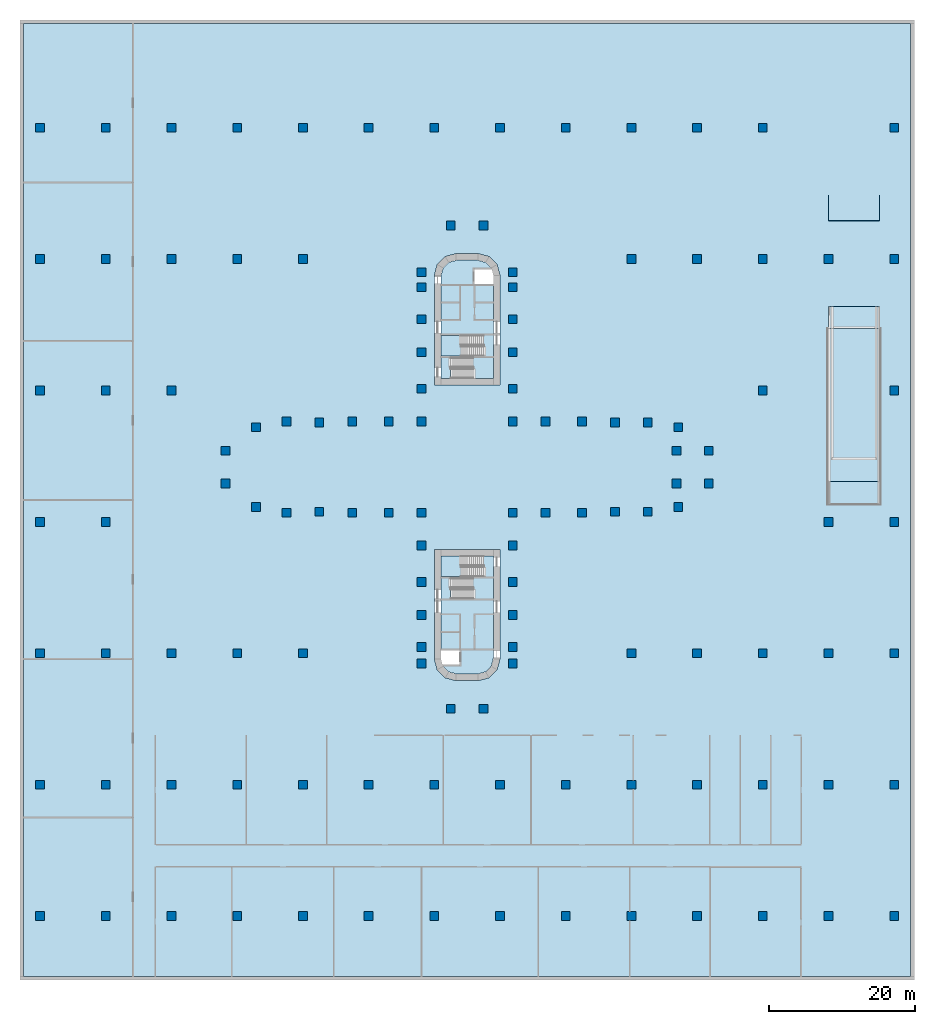
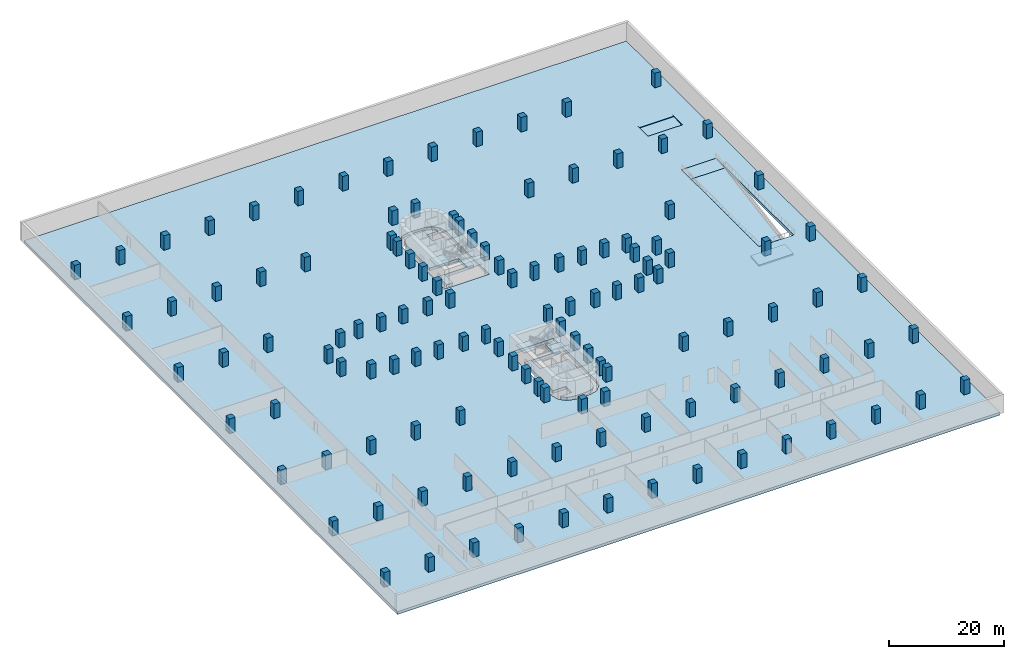
# One storey, part 1 of 11: 124 columns, 10 slabs, 2 openings, 4 elements without a shape of their own.
"""IFC4 building model written with IfcOpenShell, lengths in metres."""

import ifcopenshell
import ifcopenshell.guid

model = None  # the IFC model being written
_history = None  # IfcOwnerHistory: only IFC2X3 demands one
_inside = {}  # id of a spatial element -> (the spatial element, [elements in it])
_under = {}  # id of a project, library or spatial element -> (it, [spatial elements below it])
_declared = {}  # id of a project -> (the project, [libraries it declares])
_typed = {}  # id of a type object -> (the type object, [elements of that type])
_made_of = {}  # id of a material, layer set ... -> (it, [elements and type objects made of it])


def new_model(schema):
    """Start an empty IFC model of exactly this schema.

    Asked for "IFC4X3", IfcOpenShell would pick the latest addendum, in which some entities
    have other attributes; the version numbers below select the first issue.
    IFC2X3 requires an IfcOwnerHistory on every rooted entity: one is made here for all.
    """
    global model, _history
    if schema == "IFC4X3":
        model = ifcopenshell.file(schema_version=(4, 3, 0, 0))
    else:
        model = ifcopenshell.file(schema=schema)
    _inside.clear()
    _under.clear()
    _declared.clear()
    _typed.clear()
    _made_of.clear()
    _history = None
    if model.schema == "IFC2X3":
        org = make("IfcOrganization", Name="unknown")
        user = make(
            "IfcPersonAndOrganization",
            ThePerson=make("IfcPerson", FamilyName="unknown"),
            TheOrganization=org,
        )
        app = make(
            "IfcApplication",
            ApplicationDeveloper=org,
            Version="unknown",
            ApplicationFullName="unknown",
            ApplicationIdentifier="unknown",
        )
        _history = make(
            "IfcOwnerHistory",
            OwningUser=user,
            OwningApplication=app,
            ChangeAction="ADDED",
            CreationDate=0,
        )
    return model


def make(cls, **values):
    """One entity of the class cls with the attributes given. An attribute that is None is left unset."""
    return model.create_entity(
        cls, **{name: value for name, value in values.items() if value is not None}
    )


def rooted(cls, **values):
    """An entity with a GlobalId (a new one), such as an element, a storey or a relation."""
    return make(cls, GlobalId=ifcopenshell.guid.new(), OwnerHistory=_history, **values)


def si_unit(unit_type, name, prefix=None):
    """IfcSIUnit, for example si_unit("LENGTHUNIT", "METRE", prefix="MILLI")."""
    return make("IfcSIUnit", UnitType=unit_type, Prefix=prefix, Name=name)


def assignment(units):
    """IfcUnitAssignment: the units of a project."""
    return None if units is None else make("IfcUnitAssignment", Units=units)


def point(xyz):
    """IfcCartesianPoint."""
    return None if xyz is None else make("IfcCartesianPoint", Coordinates=xyz)


def direction(xyz):
    """IfcDirection."""
    return None if xyz is None else make("IfcDirection", DirectionRatios=xyz)


def frame(location, z_axis=None, x_axis=None):
    """IfcAxis2Placement3D, a coordinate frame: its origin and axes. An axis left out is left unset."""
    return make(
        "IfcAxis2Placement3D",
        Location=point(location),
        Axis=direction(z_axis),
        RefDirection=direction(x_axis),
    )


def frame_2d(location, x_axis=None):
    """IfcAxis2Placement2D, a coordinate frame in the plane: its origin and x axis."""
    return make(
        "IfcAxis2Placement2D", Location=point(location), RefDirection=direction(x_axis)
    )


def origin():
    """The frame at (0, 0, 0) with its axes left unset."""
    return frame((0.0, 0.0, 0.0))


def origin_2d():
    """The frame at (0, 0) in the plane with its x axis left unset."""
    return frame_2d((0.0, 0.0))


def place(relative_to, where):
    """IfcLocalPlacement: puts the frame where relative to a parent placement (None: the world)."""
    return make(
        "IfcLocalPlacement", PlacementRelTo=relative_to, RelativePlacement=where
    )


def context(
    kind, dimensions, precision=None, world=None, true_north=None, identifier=None
):
    """IfcGeometricRepresentationContext, for example the 3D "Model" context."""
    return make(
        "IfcGeometricRepresentationContext",
        ContextIdentifier=identifier,
        ContextType=kind,
        CoordinateSpaceDimension=dimensions,
        Precision=precision,
        WorldCoordinateSystem=world,
        TrueNorth=true_north,
    )


def subcontext(parent, identifier, kind, view, scale=None):
    """IfcGeometricRepresentationSubContext, for example "Body" below "Model"."""
    return make(
        "IfcGeometricRepresentationSubContext",
        ContextIdentifier=identifier,
        ContextType=kind,
        ParentContext=parent,
        TargetScale=scale,
        TargetView=view,
    )


def project(units=None, contexts=None):
    """IfcProject with its units and contexts."""
    return rooted(
        "IfcProject",
        Name="project",
        RepresentationContexts=contexts,
        UnitsInContext=assignment(units),
    )


def spatial(cls, under=None, at=None, **own):
    """A site, building, storey or space (cls), placed at a placement, below another one or the project."""
    s = rooted(cls, ObjectPlacement=at, **own)
    if under is not None:
        _under.setdefault(under.id(), (under, []))[1].append(s)
    return s


def polyline(points):
    """IfcPolyline through the points."""
    return make("IfcPolyline", Points=[point(p) for p in points])


def profile(cls, at=None, kind="AREA", **sizes):
    """A parametric profile (cls). Its sizes go by their IFC names, for example OverallWidth=200.0."""
    return make(cls, ProfileType=kind, Position=at, **sizes)


def rectangle(**sizes):
    """IfcRectangleProfileDef."""
    return profile("IfcRectangleProfileDef", **sizes)


def outline(outer, holes=None, kind="AREA"):
    """IfcArbitraryClosedProfileDef: a profile drawn as a closed curve; with holes, ...WithVoids."""
    if holes is None:
        return make("IfcArbitraryClosedProfileDef", ProfileType=kind, OuterCurve=outer)
    return make(
        "IfcArbitraryProfileDefWithVoids",
        ProfileType=kind,
        OuterCurve=outer,
        InnerCurves=holes,
    )


def extrude(swept, where, along, depth):
    """IfcExtrudedAreaSolid: the profile swept, set in the frame where, extruded along a direction by depth."""
    return make(
        "IfcExtrudedAreaSolid",
        SweptArea=swept,
        Position=where,
        ExtrudedDirection=direction(along),
        Depth=depth,
    )


def shape(context_of_items, identifier, shape_type, items):
    """IfcShapeRepresentation: the items that make up one representation, for example the "Body"."""
    return make(
        "IfcShapeRepresentation",
        ContextOfItems=context_of_items,
        RepresentationIdentifier=identifier,
        RepresentationType=shape_type,
        Items=items,
    )


def material(Name=None, Category=None):
    """IfcMaterial."""
    return make("IfcMaterial", Name=Name, Category=Category)


def layer(
    of_material, thickness, ventilated=None, Name=None, Category=None, Priority=None
):
    """IfcMaterialLayer: one layer of a wall or slab, of a material (None: an air gap)."""
    return make(
        "IfcMaterialLayer",
        Material=of_material,
        LayerThickness=thickness,
        IsVentilated=ventilated,
        Name=Name,
        Category=Category,
        Priority=Priority,
    )


def layer_set(layers, Name=None):
    """IfcMaterialLayerSet."""
    return make("IfcMaterialLayerSet", MaterialLayers=layers, LayerSetName=Name)


def material_profile(
    of_material, cross_section, Name=None, Category=None, Priority=None
):
    """IfcMaterialProfile: a cross section and its material."""
    return make(
        "IfcMaterialProfile",
        Name=Name,
        Material=of_material,
        Profile=cross_section,
        Priority=Priority,
        Category=Category,
    )


def profile_set(profiles, Name=None, composite=None):
    """IfcMaterialProfileSet."""
    return make(
        "IfcMaterialProfileSet",
        Name=Name,
        MaterialProfiles=profiles,
        CompositeProfile=composite,
    )


def made_of(thing, what):
    """Note that an element or type object is made of a material, layer set ...; save() writes the relation."""
    if what is not None:
        _made_of.setdefault(what.id(), (what, []))[1].append(thing)
    return thing


def type_object(cls, material=None, **own):
    """A type object (cls), such as IfcWallType, which elements share."""
    return made_of(rooted(cls, **own), material)


def element(
    cls,
    number,
    at=None,
    inside=None,
    cuts=None,
    type_object=None,
    material=None,
    context=None,
    identifier="Body",
    shape_type=None,
    held_by="IfcProductDefinitionShape",
    body=None,
    shapes=None,
    **own,
):
    """One element of the class cls, such as IfcWall. Its Tag is "e" and its number.

    at: its placement. inside: the storey or other place that contains it. cuts: it is an
    opening in that element (IfcRelVoidsElement). A single representation is given by context,
    identifier, shape_type and body (its items); several are given by shapes. held_by: the class
    of the entity that holds the representations. save() writes the other relations.
    """
    e = rooted(cls, Tag="e%d" % number, ObjectPlacement=at, **own)
    if body is not None:
        shapes = [shape(context, identifier, shape_type, body)]
    if shapes is not None:
        e.Representation = make(held_by, Representations=shapes)
    if inside is not None:
        _inside.setdefault(inside.id(), (inside, []))[1].append(e)
    if cuts is not None:
        rooted(
            "IfcRelVoidsElement", RelatingBuildingElement=cuts, RelatedOpeningElement=e
        )
    if type_object is not None:
        _typed.setdefault(type_object.id(), (type_object, []))[1].append(e)
    return made_of(e, material)


def aggregate(whole, parts):
    """IfcRelAggregates: a whole, such as a stair, and the parts it consists of."""
    return rooted("IfcRelAggregates", RelatingObject=whole, RelatedObjects=parts)


def save(model, path):
    """Write the relations noted so far, then the file.

    IfcRelAggregates (storeys below a building ...), IfcRelContainedInSpatialStructure (elements
    in a storey), IfcRelDefinesByType, IfcRelAssociatesMaterial and IfcRelDeclares: one each for
    every whole, place, type object, material and project.
    """
    for whole, parts in _under.values():
        aggregate(whole, parts)
    for where, things in _inside.values():
        rooted(
            "IfcRelContainedInSpatialStructure",
            RelatedElements=things,
            RelatingStructure=where,
        )
    for kind, things in _typed.values():
        rooted("IfcRelDefinesByType", RelatedObjects=things, RelatingType=kind)
    for what, things in _made_of.values():
        rooted("IfcRelAssociatesMaterial", RelatedObjects=things, RelatingMaterial=what)
    for by, libraries in _declared.values():
        rooted("IfcRelDeclares", RelatingContext=by, RelatedDefinitions=libraries)
    model.write(path)


model = new_model("IFC4")

# Units and contexts
model_context = context("Model", 3, precision=1e-05, world=origin(), true_north=direction((0.0, 1.0)))
body_context = subcontext(model_context, "Body", "Model", "MODEL_VIEW")
ifc_project = project(units=[si_unit("LENGTHUNIT", "METRE"), si_unit("AREAUNIT", "SQUARE_METRE"), si_unit("VOLUMEUNIT", "CUBIC_METRE"), si_unit("PLANEANGLEUNIT", "RADIAN"), si_unit("MASSUNIT", "GRAM", prefix="KILO")], contexts=[model_context])

# Site, building, storey
site_placement = place(None, origin())
site = spatial("IfcSite", under=ifc_project, at=site_placement, CompositionType="ELEMENT")
building_placement = place(site_placement, origin())
building = spatial("IfcBuilding", under=site, at=building_placement, Name="Zarbagh Exchange Tower", CompositionType="ELEMENT")
storey_placement = place(building_placement, frame((0.0, 0.0, -4.0)))
storey = spatial("IfcBuildingStorey", under=building, at=storey_placement, Name="B1", CompositionType="ELEMENT", Elevation=-4.0)

# Columns
ifc_material_1 = material(Name="Concrete C60/75", Category="concrete")
ifc_material_profile = material_profile(ifc_material_1, rectangle(XDim=1.199951171875, YDim=1.199951171875, at=origin_2d()), Name="RC column 1200 x 1200 C60/75")
ifc_profile_set = profile_set([ifc_material_profile], Name="Concrete C60/75")
column_type = type_object("IfcColumnType", Name="RC column 1200 x 1200 C60/75", PredefinedType="COLUMN", material=ifc_profile_set)
for number, where, z_axis, x_axis, name in (
    (1, (-58.5, -61.5, 0.0), (0.0, 0.0, 1.0), (1.0, 0.0, 0.0), "C1 BX1/BY1"),
    (2, (-58.5, -43.5, 0.0), (0.0, 0.0, 1.0), (1.0, 0.0, 0.0), "C1 BX1/BY2"),
    (3, (-58.5, -25.5, 0.0), (0.0, 0.0, 1.0), (1.0, 0.0, 0.0), "C1 BX1/BY3"),
    (4, (-58.5, -7.5, 0.0), (0.0, 0.0, 1.0), (1.0, 0.0, 0.0), "C1 BX1/BY4"),
    (5, (-58.5, 10.5, 0.0), (0.0, 0.0, 1.0), (1.0, 0.0, 0.0), "C1 BX1/BY5"),
    (6, (-58.5, 28.5, 0.0), (0.0, 0.0, 1.0), (1.0, 0.0, 0.0), "C1 BX1/BY6"),
    (7, (-58.5, 46.5, 0.0), (0.0, 0.0, 1.0), (1.0, 0.0, 0.0), "C1 BX1/BY7"),
    (8, (-49.5, -61.5, 0.0), (0.0, 0.0, 1.0), (1.0, 0.0, 0.0), "C1 BX2/BY1"),
    (9, (-49.5, -43.5, 0.0), (0.0, 0.0, 1.0), (1.0, 0.0, 0.0), "C1 BX2/BY2"),
    (10, (-49.5, -25.5, 0.0), (0.0, 0.0, 1.0), (1.0, 0.0, 0.0), "C1 BX2/BY3"),
    (11, (-49.5, -7.5, 0.0), (0.0, 0.0, 1.0), (1.0, 0.0, 0.0), "C1 BX2/BY4"),
    (12, (-49.5, 10.5, 0.0), (0.0, 0.0, 1.0), (1.0, 0.0, 0.0), "C1 BX2/BY5"),
    (13, (-49.5, 28.5, 0.0), (0.0, 0.0, 1.0), (1.0, 0.0, 0.0), "C1 BX2/BY6"),
    (14, (-49.5, 46.5, 0.0), (0.0, 0.0, 1.0), (1.0, 0.0, 0.0), "C1 BX2/BY7"),
    (15, (-40.5, -61.5, 0.0), (0.0, 0.0, 1.0), (1.0, 0.0, 0.0), "C1 BX3/BY1"),
    (16, (-40.5, -43.5, 0.0), (0.0, 0.0, 1.0), (1.0, 0.0, 0.0), "C1 BX3/BY2"),
    (17, (-40.5, -25.5, 0.0), (0.0, 0.0, 1.0), (1.0, 0.0, 0.0), "C1 BX3/BY3"),
    (18, (-40.5, 10.5, 0.0), (0.0, 0.0, 1.0), (1.0, 0.0, 0.0), "C1 BX3/BY5"),
    (19, (-40.5, 28.5, 0.0), (0.0, 0.0, 1.0), (1.0, 0.0, 0.0), "C1 BX3/BY6"),
    (20, (-40.5, 46.5, 0.0), (0.0, 0.0, 1.0), (1.0, 0.0, 0.0), "C1 BX3/BY7"),
    (21, (-33.110107421875, -2.25, 0.0), (0.0, 0.0, 1.0), (1.0, 0.0, 0.0), "C1 10/S"),
    (22, (-33.110107421875, 2.25, 0.0), (0.0, 0.0, 1.0), (1.0, 0.0, 0.0), "C1 10/T"),
    (23, (-31.5, -61.5, 0.0), (0.0, 0.0, 1.0), (1.0, 0.0, 0.0), "C1 BX4/BY1"),
    (24, (-31.5, -43.5, 0.0), (0.0, 0.0, 1.0), (1.0, 0.0, 0.0), "C1 BX4/BY2"),
    (25, (-31.5, -25.5, 0.0), (0.0, 0.0, 1.0), (1.0, 0.0, 0.0), "C1 BX4/BY3"),
    (26, (-31.5, 28.5, 0.0), (0.0, 0.0, 1.0), (1.0, 0.0, 0.0), "C1 BX4/BY6"),
    (27, (-31.5, 46.5, 0.0), (0.0, 0.0, 1.0), (1.0, 0.0, 0.0), "C1 BX4/BY7"),
    (28, (-28.907958984375, -5.47509765625, 0.0), (0.0, 0.0, 1.0), (1.0, 0.0, 0.0), "C1 11/R"),
    (29, (-28.907958984375, 5.47509765625, 0.0), (0.0, 0.0, 1.0), (1.0, 0.0, 0.0), "C1 11/U"),
    (30, (-24.75, -6.25, 0.0), (0.0, 0.0, 1.0), (1.0, 0.0, 0.0), "C1 12/R"),
    (31, (-24.75, 6.25, 0.0), (0.0, 0.0, 1.0), (1.0, 0.0, 0.0), "C1 12/U"),
    (32, (-22.5, -61.5, 0.0), (0.0, 0.0, 1.0), (1.0, 0.0, 0.0), "C1 BX5/BY1"),
    (33, (-22.5, -43.5, 0.0), (0.0, 0.0, 1.0), (1.0, 0.0, 0.0), "C1 BX5/BY2"),
    (34, (-22.5, -25.5, 0.0), (0.0, 0.0, 1.0), (1.0, 0.0, 0.0), "C1 BX5/BY3"),
    (35, (-22.5, 28.5, 0.0), (0.0, 0.0, 1.0), (1.0, 0.0, 0.0), "C1 BX5/BY6"),
    (36, (-22.5, 46.5, 0.0), (0.0, 0.0, 1.0), (1.0, 0.0, 0.0), "C1 BX5/BY7"),
    (37, (-20.25, -6.110107421875, 0.0), (0.0, 0.0, 1.0), (1.0, 0.0, 0.0), "C1 13/R"),
    (38, (-20.25, 6.110107421875, 0.0), (0.0, 0.0, 1.0), (1.0, 0.0, 0.0), "C1 13/U"),
    (39, (-15.75, -6.25, 0.0), (0.0, 0.0, 1.0), (1.0, 0.0, 0.0), "C1 14/R"),
    (40, (-15.75, 6.25, 0.0), (0.0, 0.0, 1.0), (1.0, 0.0, 0.0), "C1 14/U"),
    (41, (-13.5, -61.5, 0.0), (0.0, 0.0, 1.0), (1.0, 0.0, 0.0), "C1 BX6/BY1"),
    (42, (-13.5, -43.5, 0.0), (0.0, 0.0, 1.0), (1.0, 0.0, 0.0), "C1 BX6/BY2"),
    (43, (-13.5, 46.5, 0.0), (0.0, 0.0, 1.0), (1.0, 0.0, 0.0), "C1 BX6/BY7"),
    (44, (-10.75, -6.25, 0.0), (0.0, 0.0, 1.0), (1.0, 0.0, 0.0), "C1 15/R"),
    (45, (-10.75, 6.25, 0.0), (0.0, 0.0, 1.0), (1.0, 0.0, 0.0), "C1 15/U"),
    (46, (-6.25, -26.89990234375, 0.0), (0.0, 0.0, 1.0), (1.0, 0.0, 0.0), "C1 16/L"),
    (47, (-6.25, -24.64990234375, 0.0), (0.0, 0.0, 1.0), (1.0, 0.0, 0.0), "C1 16/M"),
    (48, (-6.25, -20.25, 0.0), (0.0, 0.0, 1.0), (1.0, 0.0, 0.0), "C1 16/N"),
    (49, (-6.25, -15.75, 0.0), (0.0, 0.0, 1.0), (1.0, 0.0, 0.0), "C1 16/P"),
    (50, (-6.25, -10.75, 0.0), (0.0, 0.0, 1.0), (1.0, 0.0, 0.0), "C1 16/Q"),
    (51, (-6.25, -6.25, 0.0), (0.0, 0.0, 1.0), (1.0, 0.0, 0.0), "C1 16/R"),
    (52, (-6.25, 6.25, 0.0), (0.0, 0.0, 1.0), (1.0, 0.0, 0.0), "C1 16/U"),
    (53, (-6.25, 10.75, 0.0), (0.0, 0.0, 1.0), (1.0, 0.0, 0.0), "C1 16/V"),
    (54, (-6.25, 15.75, 0.0), (0.0, 0.0, 1.0), (1.0, 0.0, 0.0), "C1 16/W"),
    (55, (-6.25, 20.25, 0.0), (0.0, 0.0, 1.0), (1.0, 0.0, 0.0), "C1 16/X"),
    (56, (-6.25, 24.64990234375, 0.0), (0.0, 0.0, 1.0), (1.0, 0.0, 0.0), "C1 16/Y"),
    (57, (-6.25, 26.699951171875, 0.0), (0.0, 0.0, 1.0), (1.0, 0.0, 0.0), "C1 16/Z"),
    (58, (-4.5, -61.5, 0.0), (0.0, 0.0, 1.0), (1.0, 0.0, 0.0), "C1 BX7/BY1"),
    (59, (-4.5, -43.5, 0.0), (0.0, 0.0, 1.0), (1.0, 0.0, 0.0), "C1 BX7/BY2"),
    (60, (-4.5, 46.5, 0.0), (0.0, 0.0, 1.0), (1.0, 0.0, 0.0), "C1 BX7/BY7"),
    (61, (-2.25, -33.110107421875, 0.0), (0.0, 0.0, 1.0), (1.0, 0.0, 0.0), "C1 17/K"),
    (62, (-2.25, 33.110107421875, 0.0), (0.0, 0.0, 1.0), (1.0, 0.0, 0.0), "C1 17/AA"),
    (63, (2.25, -33.110107421875, 0.0), (0.0, 0.0, 1.0), (1.0, 0.0, 0.0), "C1 18/K"),
    (64, (2.25, 33.110107421875, 0.0), (0.0, 0.0, 1.0), (1.0, 0.0, 0.0), "C1 18/AA"),
    (65, (4.5, -61.5, 0.0), (0.0, 0.0, 1.0), (1.0, 0.0, 0.0), "C1 BX8/BY1"),
    (66, (4.5, -43.5, 0.0), (0.0, 0.0, 1.0), (1.0, 0.0, 0.0), "C1 BX8/BY2"),
    (67, (4.5, 46.5, 0.0), (0.0, 0.0, 1.0), (1.0, 0.0, 0.0), "C1 BX8/BY7"),
    (68, (6.25, -26.89990234375, 0.0), (0.0, 0.0, 1.0), (1.0, 0.0, 0.0), "C1 19/L"),
    (69, (6.25, -24.64990234375, 0.0), (0.0, 0.0, 1.0), (1.0, 0.0, 0.0), "C1 19/M"),
    (70, (6.25, -20.25, 0.0), (0.0, 0.0, 1.0), (1.0, 0.0, 0.0), "C1 19/N"),
    (71, (6.25, -15.75, 0.0), (0.0, 0.0, 1.0), (1.0, 0.0, 0.0), "C1 19/P"),
    (72, (6.25, -10.75, 0.0), (0.0, 0.0, 1.0), (1.0, 0.0, 0.0), "C1 19/Q"),
    (73, (6.25, -6.25, 0.0), (0.0, 0.0, 1.0), (1.0, 0.0, 0.0), "C1 19/R"),
    (74, (6.25, 6.25, 0.0), (0.0, 0.0, 1.0), (1.0, 0.0, 0.0), "C1 19/U"),
    (75, (6.25, 10.75, 0.0), (0.0, 0.0, 1.0), (1.0, 0.0, 0.0), "C1 19/V"),
    (76, (6.25, 15.75, 0.0), (0.0, 0.0, 1.0), (1.0, 0.0, 0.0), "C1 19/W"),
    (77, (6.25, 20.25, 0.0), (0.0, 0.0, 1.0), (1.0, 0.0, 0.0), "C1 19/X"),
    (78, (6.25, 24.64990234375, 0.0), (0.0, 0.0, 1.0), (1.0, 0.0, 0.0), "C1 19/Y"),
    (79, (6.25, 26.699951171875, 0.0), (0.0, 0.0, 1.0), (1.0, 0.0, 0.0), "C1 19/Z"),
    (80, (10.75, -6.25, 0.0), (0.0, 0.0, 1.0), (1.0, 0.0, 0.0), "C1 20/R"),
    (81, (10.75, 6.25, 0.0), (0.0, 0.0, 1.0), (1.0, 0.0, 0.0), "C1 20/U"),
    (82, (13.5, -61.5, 0.0), (0.0, 0.0, 1.0), (1.0, 0.0, 0.0), "C1 BX9/BY1"),
    (83, (13.5, -43.5, 0.0), (0.0, 0.0, 1.0), (1.0, 0.0, 0.0), "C1 BX9/BY2"),
    (84, (13.5, 46.5, 0.0), (0.0, 0.0, 1.0), (1.0, 0.0, 0.0), "C1 BX9/BY7"),
    (85, (15.75, -6.25, 0.0), (0.0, 0.0, 1.0), (1.0, 0.0, 0.0), "C1 21/R"),
    (86, (15.75, 6.25, 0.0), (0.0, 0.0, 1.0), (1.0, 0.0, 0.0), "C1 21/U"),
    (87, (20.25, -6.110107421875, 0.0), (0.0, 0.0, 1.0), (1.0, 0.0, 0.0), "C1 22/R"),
    (88, (20.25, 6.110107421875, 0.0), (0.0, 0.0, 1.0), (1.0, 0.0, 0.0), "C1 22/U"),
    (89, (22.5, -61.5, 0.0), (0.0, 0.0, 1.0), (1.0, 0.0, 0.0), "C1 BX10/BY1"),
    (90, (22.5, -43.5, 0.0), (0.0, 0.0, 1.0), (1.0, 0.0, 0.0), "C1 BX10/BY2"),
    (91, (22.5, -25.5, 0.0), (0.0, 0.0, 1.0), (1.0, 0.0, 0.0), "C1 BX10/BY3"),
    (92, (22.5, 28.5, 0.0), (0.0, 0.0, 1.0), (1.0, 0.0, 0.0), "C1 BX10/BY6"),
    (93, (22.5, 46.5, 0.0), (0.0, 0.0, 1.0), (1.0, 0.0, 0.0), "C1 BX10/BY7"),
    (94, (24.75, -6.110107421875, 0.0), (0.0, 0.0, 1.0), (1.0, 0.0, 0.0), "C1 23/R"),
    (95, (24.75, 6.110107421875, 0.0), (0.0, 0.0, 1.0), (1.0, 0.0, 0.0), "C1 23/U"),
    (96, (28.907958984375, -5.47509765625, 0.0), (0.0, 0.0, 1.0), (1.0, 0.0, 0.0), "C1 24/R"),
    (97, (28.669921875, -2.25, 0.0), (0.0, 0.0, 1.0), (1.0, 0.0, 0.0), "C1 24/S"),
    (98, (28.669921875, 2.25, 0.0), (0.0, 0.0, 1.0), (1.0, 0.0, 0.0), "C1 24/T"),
    (99, (28.907958984375, 5.47509765625, 0.0), (0.0, 0.0, 1.0), (1.0, 0.0, 0.0), "C1 24/U"),
    (100, (31.5, -61.5, 0.0), (0.0, 0.0, 1.0), (1.0, 0.0, 0.0), "C1 BX11/BY1"),
    (101, (31.5, -43.5, 0.0), (0.0, 0.0, 1.0), (1.0, 0.0, 0.0), "C1 BX11/BY2"),
    (102, (31.5, -25.5, 0.0), (0.0, 0.0, 1.0), (1.0, 0.0, 0.0), "C1 BX11/BY3"),
    (103, (31.5, 28.5, 0.0), (0.0, 0.0, 1.0), (1.0, 0.0, 0.0), "C1 BX11/BY6"),
    (104, (31.5, 46.5, 0.0), (0.0, 0.0, 1.0), (1.0, 0.0, 0.0), "C1 BX11/BY7"),
    (105, (33.110107421875, -2.25, 0.0), (0.0, 0.0, 1.0), (1.0, 0.0, 0.0), "C1 25/S"),
    (106, (33.110107421875, 2.25, 0.0), (0.0, 0.0, 1.0), (1.0, 0.0, 0.0), "C1 25/T"),
    (107, (40.5, -61.5, 0.0), (0.0, 0.0, 1.0), (1.0, 0.0, 0.0), "C1 BX12/BY1"),
    (108, (40.5, -43.5, 0.0), (0.0, 0.0, 1.0), (1.0, 0.0, 0.0), "C1 BX12/BY2"),
    (109, (40.5, -25.5, 0.0), (0.0, 0.0, 1.0), (1.0, 0.0, 0.0), "C1 BX12/BY3"),
    (110, (40.5, 10.5, 0.0), (0.0, 0.0, 1.0), (1.0, 0.0, 0.0), "C1 BX12/BY5"),
    (111, (40.5, 28.5, 0.0), (0.0, 0.0, 1.0), (1.0, 0.0, 0.0), "C1 BX12/BY6"),
    (112, (40.5, 46.5, 0.0), (0.0, 0.0, 1.0), (1.0, 0.0, 0.0), "C1 BX12/BY7"),
    (113, (49.5, -61.5, 0.0), (0.0, 0.0, 1.0), (1.0, 0.0, 0.0), "C1 BX13/BY1"),
    (114, (49.5, -43.5, 0.0), (0.0, 0.0, 1.0), (1.0, 0.0, 0.0), "C1 BX13/BY2"),
    (115, (49.5, -25.5, 0.0), (0.0, 0.0, 1.0), (1.0, 0.0, 0.0), "C1 BX13/BY3"),
    (116, (49.5, -7.5, 0.0), (0.0, 0.0, 1.0), (1.0, 0.0, 0.0), "C1 BX13/BY4"),
    (117, (49.5, 28.5, 0.0), (0.0, 0.0, 1.0), (1.0, 0.0, 0.0), "C1 BX13/BY6"),
    (118, (58.5, -61.5, 0.0), (0.0, 0.0, 1.0), (1.0, 0.0, 0.0), "C1 BX14/BY1"),
    (119, (58.5, -43.5, 0.0), (0.0, 0.0, 1.0), (1.0, 0.0, 0.0), "C1 BX14/BY2"),
    (120, (58.5, -25.5, 0.0), (0.0, 0.0, 1.0), (1.0, 0.0, 0.0), "C1 BX14/BY3"),
    (121, (58.5, -7.5, 0.0), (0.0, 0.0, 1.0), (1.0, 0.0, 0.0), "C1 BX14/BY4"),
    (122, (58.5, 10.5, 0.0), (0.0, 0.0, 1.0), (1.0, 0.0, 0.0), "C1 BX14/BY5"),
    (123, (58.5, 28.5, 0.0), (0.0, 0.0, 1.0), (1.0, 0.0, 0.0), "C1 BX14/BY6"),
    (124, (58.5, 46.5, 0.0), (0.0, 0.0, 1.0), (1.0, 0.0, 0.0), "C1 BX14/BY7"),
):
    element("IfcColumn", number, at=place(storey_placement, frame(where, z_axis=z_axis, x_axis=x_axis)), inside=storey, type_object=column_type, Name=name, PredefinedType="COLUMN", context=body_context, shape_type="SweptSolid", body=[
        extrude(rectangle(XDim=1.199951171875, YDim=1.199951171875, at=origin_2d()), origin(), (0.0, 0.0, 1.0), 3.10009765625),
    ])

# Slab, openings
ifc_material_2 = material(Name="Concrete C40/50", Category="concrete")
ifc_layer_1 = layer(ifc_material_2, 0.60009765625)
ifc_layer_set_1 = layer_set([ifc_layer_1], Name="Basement slab 600 C40/50")
slab_type_1 = type_object("IfcSlabType", Name="Basement slab 600 C40/50", PredefinedType="FLOOR", material=ifc_layer_set_1)
slab_1_placement = place(storey_placement, frame((0.0, 0.0, -0.60009765625)))
slab_1 = element("IfcSlab", 125, at=slab_1_placement, inside=storey, type_object=slab_type_1, Name="S2 basement slab", PredefinedType="FLOOR", context=body_context, shape_type="SweptSolid", body=[
    extrude(outline(polyline([(-60.75, 60.75), (60.75, 60.75), (60.75, -69.75), (-60.75, -69.75), (-60.75, 60.75)]), holes=[polyline([(4.5, 26.25), (4.09814453125, 27.75), (3.0, 28.84814453125), (1.5, 29.25), (-1.5, 29.25), (-3.0, 28.84814453125), (-4.09814453125, 27.75), (-4.5, 26.25), (-4.5, 11.25), (4.5, 11.25), (4.5, 26.25)]), polyline([(1.5, -29.25), (3.0, -28.84814453125), (4.09814453125, -27.75), (4.5, -26.25), (4.5, -11.25), (-4.5, -11.25), (-4.5, -26.25), (-4.09814453125, -27.75), (-3.0, -28.84814453125), (-1.5, -29.25), (1.5, -29.25)]), polyline([(56.5, 22.0), (49.5, 22.0), (49.5, -5.0), (56.5, -5.0), (56.5, 22.0)])]), origin(), (0.0, 0.0, 1.0), 0.60009765625),
])
opening_1_placement = place(storey_placement, frame((49.5, 36.75, 0.25), z_axis=(0.0, -0.164398987305, 0.986393923832), x_axis=(1.0, 0.0, 0.0)))
element("IfcOpeningElement", 126, at=opening_1_placement, cuts=slab_1, Name="Recess for vehicle ramp R1 part 2", PredefinedType="RECESS", context=body_context, shape_type="SweptSolid", body=[
    extrude(outline(polyline([(0.0, 0.0), (7.0, 0.0), (7.0, 21.289668856043768), (0.0, 21.289668856043768), (0.0, 0.0)])), origin(), (0.0, 0.0, -1.0), 0.35009765625),
])
opening_2_placement = place(storey_placement, frame((49.5, 33.75, 0.0), z_axis=(0.0, -0.083045479854, 0.996545758245), x_axis=(1.0, 0.0, 0.0)))
element("IfcOpeningElement", 127, at=opening_2_placement, cuts=slab_1, Name="Recess for vehicle ramp R1 part 3", PredefinedType="RECESS", context=body_context, shape_type="SweptSolid", body=[
    extrude(outline(polyline([(0.0, 0.0), (7.0, 0.0), (7.0, 3.010398644698074), (0.0, 3.010398644698074), (0.0, 0.0)])), origin(), (0.0, 0.0, -1.0), 0.35009765625),
])

# Slabs
ifc_layer_2 = layer(ifc_material_2, 0.60009765625)
ifc_layer_set_2 = layer_set([ifc_layer_2], Name="Core floor slab 600 C40/50")
slab_type_2 = type_object("IfcSlabType", Name="Core floor slab 600 C40/50", PredefinedType="FLOOR", material=ifc_layer_set_2)
slab_2_placement = place(storey_placement, frame((0.0, 0.0, -0.60009765625)))
element("IfcSlab", 128, at=slab_2_placement, inside=storey, type_object=slab_type_2, Name="S14 core N", PredefinedType="FLOOR", context=body_context, shape_type="SweptSolid", body=[
    extrude(outline(polyline([(-3.60009765625, 12.14990234375), (-3.60009765625, 15.199951171875), (2.25, 15.199951171875), (2.25, 18.050048828125), (-3.60009765625, 18.050048828125), (-3.60009765625, 26.131591796875), (-3.291259765625, 27.2841796875), (-2.5341796875, 28.041259765625), (-1.381591796875, 28.35009765625), (1.381591796875, 28.35009765625), (2.5341796875, 28.041259765625), (3.291259765625, 27.2841796875), (3.340576171875, 27.10009765625), (1.0, 27.10009765625), (1.0, 25.050048828125), (3.60009765625, 25.050048828125), (3.60009765625, 15.0), (-2.25, 15.0), (-2.25, 12.14990234375), (-3.60009765625, 12.14990234375)])), origin(), (0.0, 0.0, 1.0), 0.60009765625),
])
slab_3_placement = place(storey_placement, frame((0.0, 0.0, -0.60009765625)))
element("IfcSlab", 129, at=slab_3_placement, inside=storey, type_object=slab_type_2, Name="S14 core S", PredefinedType="FLOOR", context=body_context, shape_type="SweptSolid", body=[
    extrude(outline(polyline([(-2.5341796875, -28.041259765625), (-3.291259765625, -27.2841796875), (-3.340576171875, -27.10009765625), (-1.0, -27.10009765625), (-1.0, -25.050048828125), (-3.60009765625, -25.050048828125), (-3.60009765625, -15.0), (2.25, -15.0), (2.25, -12.14990234375), (3.60009765625, -12.14990234375), (3.60009765625, -15.199951171875), (-2.25, -15.199951171875), (-2.25, -18.050048828125), (3.60009765625, -18.050048828125), (3.60009765625, -26.131591796875), (3.291259765625, -27.2841796875), (2.5341796875, -28.041259765625), (1.381591796875, -28.35009765625), (-1.381591796875, -28.35009765625), (-2.5341796875, -28.041259765625)])), origin(), (0.0, 0.0, 1.0), 0.60009765625),
])

# Stair, slab
stair_type = type_object("IfcStairType", Name="Exit stair two-flight half-turn", PredefinedType="HALF_TURN_STAIR", material=ifc_material_2)
stair_1_placement = place(storey_placement, origin())
stair_1 = element("IfcStair", 130, at=stair_1_placement, inside=storey, type_object=stair_type, Name="exit stair ST1", PredefinedType="HALF_TURN_STAIR")
ifc_layer_3 = layer(ifc_material_2, 0.199951171875)
ifc_layer_set_3 = layer_set([ifc_layer_3], Name="Stair landing 200 mm")
slab_type_3 = type_object("IfcSlabType", Name="Stair landing 200 mm", PredefinedType="LANDING", material=ifc_layer_set_3)
slab_4_placement = place(storey_placement, frame((0.0, 0.0, 1.800048828125)))
slab_4 = element("IfcSlab", 131, at=slab_4_placement, type_object=slab_type_3, Name="ST1 landing 1", PredefinedType="LANDING", context=body_context, shape_type="SweptSolid", body=[
    extrude(outline(polyline([(-0.830078125, 18.050048828125), (-3.60009765625, 18.050048828125), (-3.60009765625, 15.199951171875), (-0.830078125, 15.199951171875), (-0.830078125, 18.050048828125)])), origin(), (0.0, 0.0, 1.0), 0.199951171875),
])
aggregate(stair_1, [slab_4])

stair_2_placement = place(storey_placement, origin())
stair_2 = element("IfcStair", 132, at=stair_2_placement, inside=storey, type_object=stair_type, Name="exit stair ST2", PredefinedType="HALF_TURN_STAIR")
slab_5_placement = place(storey_placement, frame((0.0, 0.0, 1.800048828125)))
slab_5 = element("IfcSlab", 133, at=slab_5_placement, type_object=slab_type_3, Name="ST2 landing 1", PredefinedType="LANDING", context=body_context, shape_type="SweptSolid", body=[
    extrude(outline(polyline([(0.830078125, 12.14990234375), (3.60009765625, 12.14990234375), (3.60009765625, 15.0), (0.830078125, 15.0), (0.830078125, 12.14990234375)])), origin(), (0.0, 0.0, 1.0), 0.199951171875),
])
aggregate(stair_2, [slab_5])

stair_3_placement = place(storey_placement, origin())
stair_3 = element("IfcStair", 134, at=stair_3_placement, inside=storey, type_object=stair_type, Name="exit stair ST3", PredefinedType="HALF_TURN_STAIR")
slab_6_placement = place(storey_placement, frame((0.0, 0.0, 1.800048828125)))
slab_6 = element("IfcSlab", 135, at=slab_6_placement, type_object=slab_type_3, Name="ST3 landing 1", PredefinedType="LANDING", context=body_context, shape_type="SweptSolid", body=[
    extrude(outline(polyline([(0.830078125, -18.050048828125), (3.60009765625, -18.050048828125), (3.60009765625, -15.199951171875), (0.830078125, -15.199951171875), (0.830078125, -18.050048828125)])), origin(), (0.0, 0.0, 1.0), 0.199951171875),
])
aggregate(stair_3, [slab_6])

stair_4_placement = place(storey_placement, origin())
stair_4 = element("IfcStair", 136, at=stair_4_placement, inside=storey, type_object=stair_type, Name="exit stair ST4", PredefinedType="HALF_TURN_STAIR")
slab_7_placement = place(storey_placement, frame((0.0, 0.0, 1.800048828125)))
slab_7 = element("IfcSlab", 137, at=slab_7_placement, type_object=slab_type_3, Name="ST4 landing 1", PredefinedType="LANDING", context=body_context, shape_type="SweptSolid", body=[
    extrude(outline(polyline([(-0.830078125, -12.14990234375), (-3.60009765625, -12.14990234375), (-3.60009765625, -15.0), (-0.830078125, -15.0), (-0.830078125, -12.14990234375)])), origin(), (0.0, 0.0, 1.0), 0.199951171875),
])
aggregate(stair_4, [slab_7])

# Slabs
ifc_layer_4 = layer(ifc_material_2, 0.35009765625)
ifc_layer_set_4 = layer_set([ifc_layer_4], Name="Vehicle ramp slab 350 C40/50")
slab_type_4 = type_object("IfcSlabType", Name="Vehicle ramp slab 350 C40/50", PredefinedType="USERDEFINED", material=ifc_layer_set_4)
slab_8_placement = place(storey_placement, frame((49.5, 19.0, -0.25), z_axis=(0.0, -0.083045479854, 0.996545758245), x_axis=(1.0, 0.0, 0.0)))
element("IfcSlab", 138, at=slab_8_placement, inside=storey, type_object=slab_type_4, Name="Vehicle ramp R2 part 1", ObjectType="Vehicle ramp slab", PredefinedType="USERDEFINED", context=body_context, shape_type="SweptSolid", body=[
    extrude(outline(polyline([(0.0, 0.0), (7.0, 0.0), (7.0, 3.010398644698074), (0.0, 3.010398644698074), (0.0, 0.0)])), origin(), (0.0, 0.0, -1.0), 0.35009765625),
])
slab_9_placement = place(storey_placement, frame((49.5, -2.0, -3.75), z_axis=(0.0, -0.164398987305, 0.986393923832), x_axis=(1.0, 0.0, 0.0)))
element("IfcSlab", 139, at=slab_9_placement, inside=storey, type_object=slab_type_4, Name="Vehicle ramp R2 part 2", ObjectType="Vehicle ramp slab", PredefinedType="USERDEFINED", context=body_context, shape_type="SweptSolid", body=[
    extrude(outline(polyline([(0.0, 0.0), (7.0, 0.0), (7.0, 21.289668856043768), (0.0, 21.289668856043768), (0.0, 0.0)])), origin(), (0.0, 0.0, -1.0), 0.35009765625),
])
slab_10_placement = place(storey_placement, frame((49.5, -5.0, -4.0), z_axis=(0.0, -0.083045479854, 0.996545758245), x_axis=(1.0, 0.0, 0.0)))
element("IfcSlab", 140, at=slab_10_placement, inside=storey, type_object=slab_type_4, Name="Vehicle ramp R2 part 3", ObjectType="Vehicle ramp slab", PredefinedType="USERDEFINED", context=body_context, shape_type="SweptSolid", body=[
    extrude(outline(polyline([(0.0, 0.0), (7.0, 0.0), (7.0, 3.010398644698074), (0.0, 3.010398644698074), (0.0, 0.0)])), origin(), (0.0, 0.0, -1.0), 0.35009765625),
])

save(model, "model.ifc")
